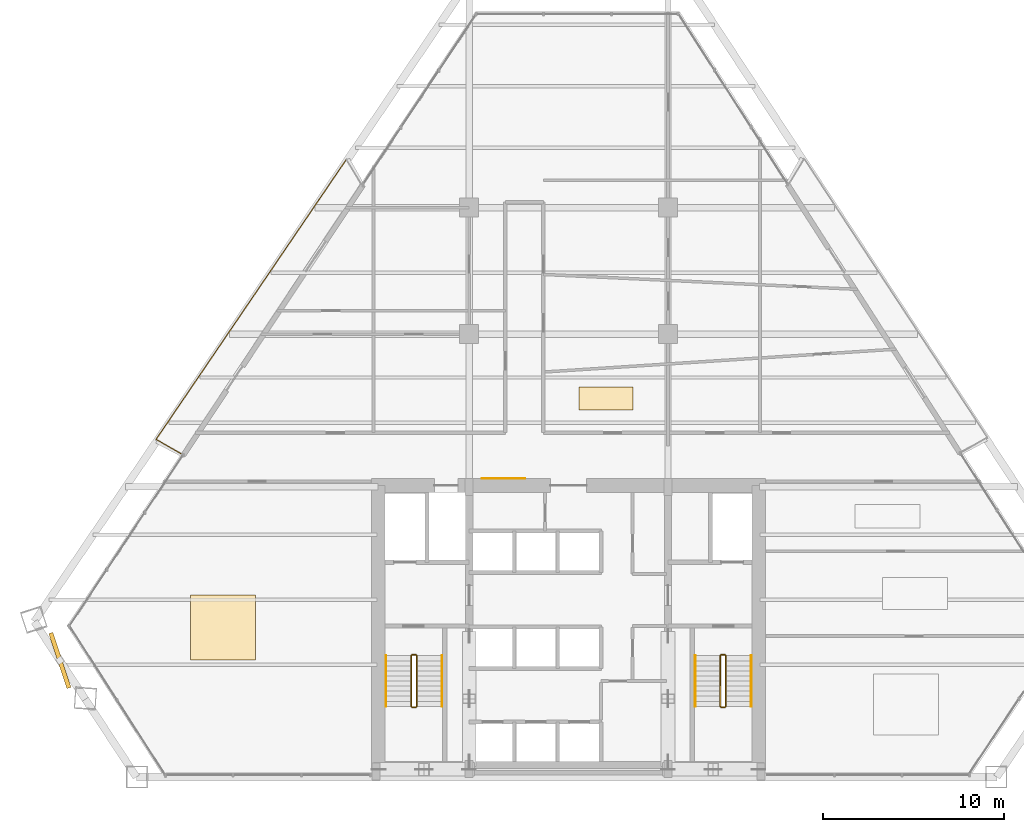
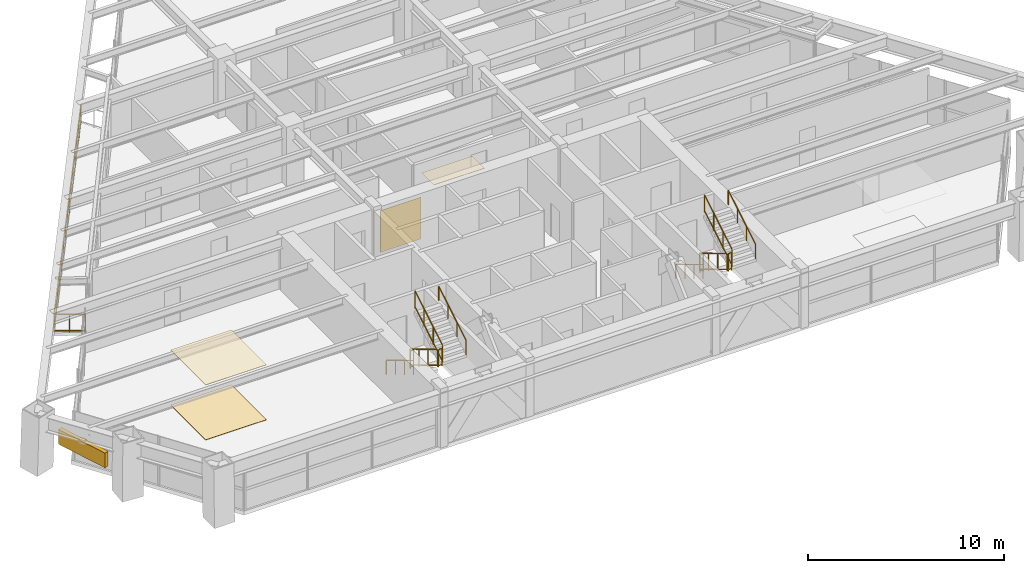
# One storey, part 13 of 14: 14 railings, 4 coverings, 1 shading device.
"""IFC4 building model written with IfcOpenShell, lengths in metres."""

from ifc_helpers import new_model, si_unit, direction, frame, origin, origin_2d, place, context, subcontext, project, spatial, rectangle, extrude, source, transform, mapped, material, layer, layer_set, type_object, type_shapes, element, save


model = new_model("IFC4")

# Units and contexts
model_context = context("Model", 3, precision=1e-05, world=origin(), true_north=direction((0.0, 1.0)))
body_context = subcontext(model_context, "Body", "Model", "MODEL_VIEW")
ifc_project = project(units=[si_unit("LENGTHUNIT", "METRE"), si_unit("AREAUNIT", "SQUARE_METRE"), si_unit("VOLUMEUNIT", "CUBIC_METRE"), si_unit("PLANEANGLEUNIT", "RADIAN"), si_unit("MASSUNIT", "GRAM", prefix="KILO")], contexts=[model_context])

# Site, building, storey
site_placement = place(None, origin())
site = spatial("IfcSite", under=ifc_project, at=site_placement, CompositionType="ELEMENT")
building_placement = place(site_placement, origin())
building = spatial("IfcBuilding", under=site, at=building_placement, Name="Varnakhor Terracotta Tower", CompositionType="ELEMENT")
storey_placement = place(building_placement, frame((0.0, 0.0, 113.60009765625)))
storey = spatial("IfcBuildingStorey", under=building, at=storey_placement, Name="L28", CompositionType="ELEMENT", Elevation=113.60009765625)

# Railings
ifc_material_1 = material(Name="Stainless Steel & Laminated Glass Guardrail", Category="steel")
railing_type_1 = type_object("IfcRailingType", Name="RLG-LOGGIA-GUARD-1150", PredefinedType="GUARDRAIL", material=ifc_material_1)
railing_1_placement = place(storey_placement, frame((-21.425048828125, 17.876708984375, 0.0)))
element("IfcRailing", 1, at=railing_1_placement, inside=storey, type_object=railing_type_1, Name="L28 W Loggia Glass Guard 1", PredefinedType="GUARDRAIL", context=body_context, shape_type="SweptSolid", body=[
    extrude(rectangle(XDim=0.048095703125, YDim=0.048095703125, at=origin_2d()), frame((0.0, 0.0, 1.1259765625), z_axis=(-0.866628436707, 0.498954058697, 0.0), x_axis=(-0.498954058697, -0.866628436707, 0.0)), (0.0, 0.0, 1.0), 1.60498046875),
    extrude(rectangle(XDim=0.048095703125, YDim=0.048095703125, at=origin_2d()), frame((0.0, 0.0, 0.10009765625), z_axis=(-0.866628436707, 0.498954058697, 0.0), x_axis=(-0.498954058697, -0.866628436707, 0.0)), (0.0, 0.0, 1.0), 1.60498046875),
    extrude(rectangle(XDim=0.0419921875, YDim=0.0419921875, at=origin_2d()), origin(), (0.0, 0.0, 1.0), 1.101806640625),
    extrude(rectangle(XDim=0.0419921875, YDim=0.0419921875, at=origin_2d()), frame((-0.6953125, 0.400390625, 0.0)), (0.0, 0.0, 1.0), 1.101806640625),
    extrude(rectangle(XDim=0.0419921875, YDim=0.0419921875, at=origin_2d()), frame((-1.390869140625, 0.80078125, 0.0)), (0.0, 0.0, 1.0), 1.101806640625),
])
railing_2_placement = place(storey_placement, frame((-22.81591796875, 18.677490234375, 0.0)))
element("IfcRailing", 2, at=railing_2_placement, inside=storey, type_object=railing_type_1, Name="L28 W Loggia Glass Guard 2", PredefinedType="GUARDRAIL", context=body_context, shape_type="SweptSolid", body=[
    extrude(rectangle(XDim=0.048095703125, YDim=0.048095703125, at=origin_2d()), frame((0.0, 0.0, 1.1259765625), z_axis=(0.562105529227, 0.827065519782, 0.0), x_axis=(-0.827065519782, 0.562105529227, 0.0)), (0.0, 0.0, 1.0), 18.713134765625),
    extrude(rectangle(XDim=0.048095703125, YDim=0.048095703125, at=origin_2d()), frame((0.0, 0.0, 0.10009765625), z_axis=(0.562105529227, 0.827065519782, 0.0), x_axis=(-0.827065519782, 0.562105529227, 0.0)), (0.0, 0.0, 1.0), 18.713134765625),
    extrude(rectangle(XDim=0.0419921875, YDim=0.0419921875, at=origin_2d()), origin(), (0.0, 0.0, 1.0), 1.101806640625),
    extrude(rectangle(XDim=0.0419921875, YDim=0.0419921875, at=origin_2d()), frame((0.75146484375, 1.10546875, 0.0)), (0.0, 0.0, 1.0), 1.101806640625),
    extrude(rectangle(XDim=0.0419921875, YDim=0.0419921875, at=origin_2d()), frame((1.502685546875, 2.2109375, 0.0)), (0.0, 0.0, 1.0), 1.101806640625),
    extrude(rectangle(XDim=0.0419921875, YDim=0.0419921875, at=origin_2d()), frame((2.25390625, 3.31640625, 0.0)), (0.0, 0.0, 1.0), 1.101806640625),
    extrude(rectangle(XDim=0.0419921875, YDim=0.0419921875, at=origin_2d()), frame((3.00537109375, 4.422119140625, 0.0)), (0.0, 0.0, 1.0), 1.101806640625),
    extrude(rectangle(XDim=0.0419921875, YDim=0.0419921875, at=origin_2d()), frame((3.7568359375, 5.527587890625, 0.0)), (0.0, 0.0, 1.0), 1.101806640625),
    extrude(rectangle(XDim=0.0419921875, YDim=0.0419921875, at=origin_2d()), frame((4.508056640625, 6.633056640625, 0.0)), (0.0, 0.0, 1.0), 1.101806640625),
    extrude(rectangle(XDim=0.0419921875, YDim=0.0419921875, at=origin_2d()), frame((5.25927734375, 7.738525390625, 0.0)), (0.0, 0.0, 1.0), 1.101806640625),
    extrude(rectangle(XDim=0.0419921875, YDim=0.0419921875, at=origin_2d()), frame((6.0107421875, 8.843994140625, 0.0)), (0.0, 0.0, 1.0), 1.101806640625),
    extrude(rectangle(XDim=0.0419921875, YDim=0.0419921875, at=origin_2d()), frame((6.76220703125, 9.949462890625, 0.0)), (0.0, 0.0, 1.0), 1.101806640625),
    extrude(rectangle(XDim=0.0419921875, YDim=0.0419921875, at=origin_2d()), frame((7.513427734375, 11.054931640625, 0.0)), (0.0, 0.0, 1.0), 1.101806640625),
    extrude(rectangle(XDim=0.0419921875, YDim=0.0419921875, at=origin_2d()), frame((8.2646484375, 12.16064453125, 0.0)), (0.0, 0.0, 1.0), 1.101806640625),
    extrude(rectangle(XDim=0.0419921875, YDim=0.0419921875, at=origin_2d()), frame((9.01611328125, 13.26611328125, 0.0)), (0.0, 0.0, 1.0), 1.101806640625),
    extrude(rectangle(XDim=0.0419921875, YDim=0.0419921875, at=origin_2d()), frame((9.767578125, 14.37158203125, 0.0)), (0.0, 0.0, 1.0), 1.101806640625),
    extrude(rectangle(XDim=0.0419921875, YDim=0.0419921875, at=origin_2d()), frame((10.518798828125, 15.47705078125, 0.0)), (0.0, 0.0, 1.0), 1.101806640625),
])
ifc_material_2 = material(Name="Painted Steel Stairwell Guardrail", Category="steel")
railing_type_2 = type_object("IfcRailingType", Name="RLG-STAIR-GUARD-1120", PredefinedType="GUARDRAIL", material=ifc_material_2)
railing_3_placement = place(storey_placement, frame((-8.699951171875, 6.7099609375, 0.16796875)))
element("IfcRailing", 3, at=railing_3_placement, inside=storey, type_object=railing_type_2, Name="L28 ST-1 stair guard 1", PredefinedType="GUARDRAIL", context=body_context, shape_type="SweptSolid", body=[
    extrude(rectangle(XDim=0.048095703125, YDim=0.048095703125, at=origin_2d()), frame((0.0, 0.0, 1.09619140625), z_axis=(0.0, -0.857242210791, 0.514913383045), x_axis=(1.0, 0.0, 0.0)), (0.0, 0.0, 1.0), 3.266357421875),
    extrude(rectangle(XDim=0.048095703125, YDim=0.048095703125, at=origin_2d()), frame((0.0, 0.0, 0.10009765625), z_axis=(0.0, -0.857242210791, 0.514913383045), x_axis=(1.0, 0.0, 0.0)), (0.0, 0.0, 1.0), 3.266357421875),
    extrude(rectangle(XDim=0.0419921875, YDim=0.0419921875, at=origin_2d()), origin(), (0.0, 0.0, 1.0), 1.072021484375),
    extrude(rectangle(XDim=0.0419921875, YDim=0.0419921875, at=origin_2d()), frame((0.0, -0.933349609375, 0.560546875)), (0.0, 0.0, 1.0), 1.072021484375),
    extrude(rectangle(XDim=0.0419921875, YDim=0.0419921875, at=origin_2d()), frame((0.0, -1.86669921875, 1.121337890625)), (0.0, 0.0, 1.0), 1.072021484375),
    extrude(rectangle(XDim=0.0419921875, YDim=0.0419921875, at=origin_2d()), frame((0.0, -2.800048828125, 1.681884765625)), (0.0, 0.0, 1.0), 1.072021484375),
])
railing_4_placement = place(storey_placement, frame((-8.64990234375, 3.860107421875, 1.849853515625)))
element("IfcRailing", 4, at=railing_4_placement, inside=storey, type_object=railing_type_2, Name="L28 ST-1 stair guard 2", PredefinedType="GUARDRAIL", context=body_context, shape_type="SweptSolid", body=[
    extrude(rectangle(XDim=0.048095703125, YDim=0.048095703125, at=origin_2d()), frame((0.0, 0.0, 1.09619140625), z_axis=(1.0, 0.0, 0.0), x_axis=(0.0, 1.0, 0.0)), (0.0, 0.0, 1.0), 0.199951171875),
    extrude(rectangle(XDim=0.048095703125, YDim=0.048095703125, at=origin_2d()), frame((0.0, 0.0, 0.10009765625), z_axis=(1.0, 0.0, 0.0), x_axis=(0.0, 1.0, 0.0)), (0.0, 0.0, 1.0), 0.199951171875),
    extrude(rectangle(XDim=0.0419921875, YDim=0.0419921875, at=origin_2d()), origin(), (0.0, 0.0, 1.0), 1.072021484375),
    extrude(rectangle(XDim=0.0419921875, YDim=0.0419921875, at=origin_2d()), frame((0.199951171875, 0.0, 0.0)), (0.0, 0.0, 1.0), 1.072021484375),
])
railing_5_placement = place(storey_placement, frame((-8.39990234375, 3.909912109375, 2.01806640625)))
element("IfcRailing", 5, at=railing_5_placement, inside=storey, type_object=railing_type_2, Name="L28 ST-1 stair guard 3", PredefinedType="GUARDRAIL", context=body_context, shape_type="SweptSolid", body=[
    extrude(rectangle(XDim=0.048095703125, YDim=0.048095703125, at=origin_2d()), frame((0.0, 0.0, 1.09619140625), z_axis=(0.0, 0.857242210791, 0.514913383045), x_axis=(-1.0, 0.0, 0.0)), (0.0, 0.0, 1.0), 3.266357421875),
    extrude(rectangle(XDim=0.048095703125, YDim=0.048095703125, at=origin_2d()), frame((0.0, 0.0, 0.10009765625), z_axis=(0.0, 0.857242210791, 0.514913383045), x_axis=(-1.0, 0.0, 0.0)), (0.0, 0.0, 1.0), 3.266357421875),
    extrude(rectangle(XDim=0.0419921875, YDim=0.0419921875, at=origin_2d()), origin(), (0.0, 0.0, 1.0), 1.072021484375),
    extrude(rectangle(XDim=0.0419921875, YDim=0.0419921875, at=origin_2d()), frame((0.0, 0.933349609375, 0.560546875)), (0.0, 0.0, 1.0), 1.072021484375),
    extrude(rectangle(XDim=0.0419921875, YDim=0.0419921875, at=origin_2d()), frame((0.0, 1.86669921875, 1.121337890625)), (0.0, 0.0, 1.0), 1.072021484375),
    extrude(rectangle(XDim=0.0419921875, YDim=0.0419921875, at=origin_2d()), frame((0.0, 2.800048828125, 1.681884765625)), (0.0, 0.0, 1.0), 1.072021484375),
])
railing_6_placement = place(storey_placement, frame((-8.64990234375, 6.760009765625, 0.0)))
element("IfcRailing", 6, at=railing_6_placement, inside=storey, type_object=railing_type_2, Name="L28 ST-1 stair guard 4", PredefinedType="GUARDRAIL", context=body_context, shape_type="SweptSolid", body=[
    extrude(rectangle(XDim=0.048095703125, YDim=0.048095703125, at=origin_2d()), frame((0.0, 0.0, 1.09619140625), z_axis=(1.0, 0.0, 0.0), x_axis=(0.0, 1.0, 0.0)), (0.0, 0.0, 1.0), 0.199951171875),
    extrude(rectangle(XDim=0.048095703125, YDim=0.048095703125, at=origin_2d()), frame((0.0, 0.0, 0.10009765625), z_axis=(1.0, 0.0, 0.0), x_axis=(0.0, 1.0, 0.0)), (0.0, 0.0, 1.0), 0.199951171875),
    extrude(rectangle(XDim=0.0419921875, YDim=0.0419921875, at=origin_2d()), origin(), (0.0, 0.0, 1.0), 1.072021484375),
    extrude(rectangle(XDim=0.0419921875, YDim=0.0419921875, at=origin_2d()), frame((0.199951171875, 0.0, 0.0)), (0.0, 0.0, 1.0), 1.072021484375),
])
railing_7_placement = place(storey_placement, frame((8.39990234375, 6.7099609375, 0.16796875)))
element("IfcRailing", 7, at=railing_7_placement, inside=storey, type_object=railing_type_2, Name="L28 ST-2 stair guard 1", PredefinedType="GUARDRAIL", context=body_context, shape_type="SweptSolid", body=[
    extrude(rectangle(XDim=0.048095703125, YDim=0.048095703125, at=origin_2d()), frame((0.0, 0.0, 1.09619140625), z_axis=(0.0, -0.857242210791, 0.514913383045), x_axis=(1.0, 0.0, 0.0)), (0.0, 0.0, 1.0), 3.266357421875),
    extrude(rectangle(XDim=0.048095703125, YDim=0.048095703125, at=origin_2d()), frame((0.0, 0.0, 0.10009765625), z_axis=(0.0, -0.857242210791, 0.514913383045), x_axis=(1.0, 0.0, 0.0)), (0.0, 0.0, 1.0), 3.266357421875),
    extrude(rectangle(XDim=0.0419921875, YDim=0.0419921875, at=origin_2d()), origin(), (0.0, 0.0, 1.0), 1.072021484375),
    extrude(rectangle(XDim=0.0419921875, YDim=0.0419921875, at=origin_2d()), frame((0.0, -0.933349609375, 0.560546875)), (0.0, 0.0, 1.0), 1.072021484375),
    extrude(rectangle(XDim=0.0419921875, YDim=0.0419921875, at=origin_2d()), frame((0.0, -1.86669921875, 1.121337890625)), (0.0, 0.0, 1.0), 1.072021484375),
    extrude(rectangle(XDim=0.0419921875, YDim=0.0419921875, at=origin_2d()), frame((0.0, -2.800048828125, 1.681884765625)), (0.0, 0.0, 1.0), 1.072021484375),
])
railing_8_placement = place(storey_placement, frame((8.449951171875, 3.860107421875, 1.849853515625)))
element("IfcRailing", 8, at=railing_8_placement, inside=storey, type_object=railing_type_2, Name="L28 ST-2 stair guard 2", PredefinedType="GUARDRAIL", context=body_context, shape_type="SweptSolid", body=[
    extrude(rectangle(XDim=0.048095703125, YDim=0.048095703125, at=origin_2d()), frame((0.0, 0.0, 1.09619140625), z_axis=(1.0, 0.0, 0.0), x_axis=(0.0, 1.0, 0.0)), (0.0, 0.0, 1.0), 0.199951171875),
    extrude(rectangle(XDim=0.048095703125, YDim=0.048095703125, at=origin_2d()), frame((0.0, 0.0, 0.10009765625), z_axis=(1.0, 0.0, 0.0), x_axis=(0.0, 1.0, 0.0)), (0.0, 0.0, 1.0), 0.199951171875),
    extrude(rectangle(XDim=0.0419921875, YDim=0.0419921875, at=origin_2d()), origin(), (0.0, 0.0, 1.0), 1.072021484375),
    extrude(rectangle(XDim=0.0419921875, YDim=0.0419921875, at=origin_2d()), frame((0.199951171875, 0.0, 0.0)), (0.0, 0.0, 1.0), 1.072021484375),
])
railing_9_placement = place(storey_placement, frame((8.699951171875, 3.909912109375, 2.01806640625)))
element("IfcRailing", 9, at=railing_9_placement, inside=storey, type_object=railing_type_2, Name="L28 ST-2 stair guard 3", PredefinedType="GUARDRAIL", context=body_context, shape_type="SweptSolid", body=[
    extrude(rectangle(XDim=0.048095703125, YDim=0.048095703125, at=origin_2d()), frame((0.0, 0.0, 1.09619140625), z_axis=(0.0, 0.857242210791, 0.514913383045), x_axis=(-1.0, 0.0, 0.0)), (0.0, 0.0, 1.0), 3.266357421875),
    extrude(rectangle(XDim=0.048095703125, YDim=0.048095703125, at=origin_2d()), frame((0.0, 0.0, 0.10009765625), z_axis=(0.0, 0.857242210791, 0.514913383045), x_axis=(-1.0, 0.0, 0.0)), (0.0, 0.0, 1.0), 3.266357421875),
    extrude(rectangle(XDim=0.0419921875, YDim=0.0419921875, at=origin_2d()), origin(), (0.0, 0.0, 1.0), 1.072021484375),
    extrude(rectangle(XDim=0.0419921875, YDim=0.0419921875, at=origin_2d()), frame((0.0, 0.933349609375, 0.560546875)), (0.0, 0.0, 1.0), 1.072021484375),
    extrude(rectangle(XDim=0.0419921875, YDim=0.0419921875, at=origin_2d()), frame((0.0, 1.86669921875, 1.121337890625)), (0.0, 0.0, 1.0), 1.072021484375),
    extrude(rectangle(XDim=0.0419921875, YDim=0.0419921875, at=origin_2d()), frame((0.0, 2.800048828125, 1.681884765625)), (0.0, 0.0, 1.0), 1.072021484375),
])
railing_10_placement = place(storey_placement, frame((8.449951171875, 6.760009765625, 0.0)))
element("IfcRailing", 10, at=railing_10_placement, inside=storey, type_object=railing_type_2, Name="L28 ST-2 stair guard 4", PredefinedType="GUARDRAIL", context=body_context, shape_type="SweptSolid", body=[
    extrude(rectangle(XDim=0.048095703125, YDim=0.048095703125, at=origin_2d()), frame((0.0, 0.0, 1.09619140625), z_axis=(1.0, 0.0, 0.0), x_axis=(0.0, 1.0, 0.0)), (0.0, 0.0, 1.0), 0.199951171875),
    extrude(rectangle(XDim=0.048095703125, YDim=0.048095703125, at=origin_2d()), frame((0.0, 0.0, 0.10009765625), z_axis=(1.0, 0.0, 0.0), x_axis=(0.0, 1.0, 0.0)), (0.0, 0.0, 1.0), 0.199951171875),
    extrude(rectangle(XDim=0.0419921875, YDim=0.0419921875, at=origin_2d()), origin(), (0.0, 0.0, 1.0), 1.072021484375),
    extrude(rectangle(XDim=0.0419921875, YDim=0.0419921875, at=origin_2d()), frame((0.199951171875, 0.0, 0.0)), (0.0, 0.0, 1.0), 1.072021484375),
])
ifc_material_3 = material(Name="Brushed Stainless Steel Handrail", Category="steel")
railing_type_3 = type_object("IfcRailingType", Name="RLG-STAIR-HANDRAIL-920", PredefinedType="HANDRAIL", material=ifc_material_3)
railing_11_placement = place(storey_placement, frame((-10.10009765625, 6.7099609375, 0.16796875)))
element("IfcRailing", 11, at=railing_11_placement, inside=storey, type_object=railing_type_3, Name="L28 ST-1 stair handrail 1", PredefinedType="HANDRAIL", context=body_context, shape_type="SweptSolid", body=[
    extrude(rectangle(XDim=0.048095703125, YDim=0.048095703125, at=origin_2d()), frame((0.0, 0.0, 0.89599609375), z_axis=(0.0, -0.857242210791, 0.514913383045), x_axis=(1.0, 0.0, 0.0)), (0.0, 0.0, 1.0), 3.266357421875),
    extrude(rectangle(XDim=0.0419921875, YDim=0.0419921875, at=origin_2d()), origin(), (0.0, 0.0, 1.0), 0.871826171875),
    extrude(rectangle(XDim=0.0419921875, YDim=0.0419921875, at=origin_2d()), frame((0.0, -0.933349609375, 0.560546875)), (0.0, 0.0, 1.0), 0.871826171875),
    extrude(rectangle(XDim=0.0419921875, YDim=0.0419921875, at=origin_2d()), frame((0.0, -1.86669921875, 1.121337890625)), (0.0, 0.0, 1.0), 0.871826171875),
    extrude(rectangle(XDim=0.0419921875, YDim=0.0419921875, at=origin_2d()), frame((0.0, -2.800048828125, 1.681884765625)), (0.0, 0.0, 1.0), 0.871826171875),
])
railing_12_placement = place(storey_placement, frame((-7.0, 3.909912109375, 2.01806640625)))
element("IfcRailing", 12, at=railing_12_placement, inside=storey, type_object=railing_type_3, Name="L28 ST-1 stair handrail 2", PredefinedType="HANDRAIL", context=body_context, shape_type="SweptSolid", body=[
    extrude(rectangle(XDim=0.048095703125, YDim=0.048095703125, at=origin_2d()), frame((0.0, 0.0, 0.89599609375), z_axis=(0.0, 0.857242210791, 0.514913383045), x_axis=(-1.0, 0.0, 0.0)), (0.0, 0.0, 1.0), 3.266357421875),
    extrude(rectangle(XDim=0.0419921875, YDim=0.0419921875, at=origin_2d()), origin(), (0.0, 0.0, 1.0), 0.871826171875),
    extrude(rectangle(XDim=0.0419921875, YDim=0.0419921875, at=origin_2d()), frame((0.0, 0.933349609375, 0.560546875)), (0.0, 0.0, 1.0), 0.871826171875),
    extrude(rectangle(XDim=0.0419921875, YDim=0.0419921875, at=origin_2d()), frame((0.0, 1.86669921875, 1.121337890625)), (0.0, 0.0, 1.0), 0.871826171875),
    extrude(rectangle(XDim=0.0419921875, YDim=0.0419921875, at=origin_2d()), frame((0.0, 2.800048828125, 1.681884765625)), (0.0, 0.0, 1.0), 0.871826171875),
])
railing_13_placement = place(storey_placement, frame((7.0, 6.7099609375, 0.16796875)))
element("IfcRailing", 13, at=railing_13_placement, inside=storey, type_object=railing_type_3, Name="L28 ST-2 stair handrail 1", PredefinedType="HANDRAIL", context=body_context, shape_type="SweptSolid", body=[
    extrude(rectangle(XDim=0.048095703125, YDim=0.048095703125, at=origin_2d()), frame((0.0, 0.0, 0.89599609375), z_axis=(0.0, -0.857242210791, 0.514913383045), x_axis=(1.0, 0.0, 0.0)), (0.0, 0.0, 1.0), 3.266357421875),
    extrude(rectangle(XDim=0.0419921875, YDim=0.0419921875, at=origin_2d()), origin(), (0.0, 0.0, 1.0), 0.871826171875),
    extrude(rectangle(XDim=0.0419921875, YDim=0.0419921875, at=origin_2d()), frame((0.0, -0.933349609375, 0.560546875)), (0.0, 0.0, 1.0), 0.871826171875),
    extrude(rectangle(XDim=0.0419921875, YDim=0.0419921875, at=origin_2d()), frame((0.0, -1.86669921875, 1.121337890625)), (0.0, 0.0, 1.0), 0.871826171875),
    extrude(rectangle(XDim=0.0419921875, YDim=0.0419921875, at=origin_2d()), frame((0.0, -2.800048828125, 1.681884765625)), (0.0, 0.0, 1.0), 0.871826171875),
])
railing_14_placement = place(storey_placement, frame((10.10009765625, 3.909912109375, 2.01806640625)))
element("IfcRailing", 14, at=railing_14_placement, inside=storey, type_object=railing_type_3, Name="L28 ST-2 stair handrail 2", PredefinedType="HANDRAIL", context=body_context, shape_type="SweptSolid", body=[
    extrude(rectangle(XDim=0.048095703125, YDim=0.048095703125, at=origin_2d()), frame((0.0, 0.0, 0.89599609375), z_axis=(0.0, 0.857242210791, 0.514913383045), x_axis=(-1.0, 0.0, 0.0)), (0.0, 0.0, 1.0), 3.266357421875),
    extrude(rectangle(XDim=0.0419921875, YDim=0.0419921875, at=origin_2d()), origin(), (0.0, 0.0, 1.0), 0.871826171875),
    extrude(rectangle(XDim=0.0419921875, YDim=0.0419921875, at=origin_2d()), frame((0.0, 0.933349609375, 0.560546875)), (0.0, 0.0, 1.0), 0.871826171875),
    extrude(rectangle(XDim=0.0419921875, YDim=0.0419921875, at=origin_2d()), frame((0.0, 1.86669921875, 1.121337890625)), (0.0, 0.0, 1.0), 0.871826171875),
    extrude(rectangle(XDim=0.0419921875, YDim=0.0419921875, at=origin_2d()), frame((0.0, 2.800048828125, 1.681884765625)), (0.0, 0.0, 1.0), 0.871826171875),
])

# Shading device
ifc_material_4 = material(Name="Extruded Architectural Terracotta Screen", Category="masonry")
shading_device_type = type_object("IfcShadingDeviceType", Name="TERRACOTTA SOLAR SCREEN W", PredefinedType="USERDEFINED", material=ifc_material_4)
shared_shape_1 = source(origin(), body_context, "Body", "SweptSolid", [
    extrude(rectangle(XDim=3.199951171875, YDim=0.239990234375, at=origin_2d()), origin(), (0.0, 0.0, 1.0), 0.919921875),
])
type_shapes(shading_device_type, [shared_shape_1])
shading_device_placement = place(storey_placement, frame((-28.14013671875, 6.447265625, 1.617919921875), z_axis=(0.0, 0.0, 1.0), x_axis=(0.313694169667, -0.949524074427, 0.0)))
element("IfcShadingDevice", 15, at=shading_device_placement, inside=storey, type_object=shading_device_type, Name="L28 W Terracotta Solar Screen", ObjectType="SCREEN", PredefinedType="USERDEFINED", context=body_context, shape_type="MappedRepresentation", body=[
    mapped(shared_shape_1, transform((0.0, 0.0, 0.0), scale=1.0)),
])

# Coverings
ifc_material_5 = material(Name="Extruded Architectural Terracotta Cladding", Category="masonry")
ifc_layer_1 = layer(ifc_material_5, 0.044921875, Name="Extruded Architectural Terracotta Cladding")
ifc_layer_set_1 = layer_set([ifc_layer_1], Name="Extruded Architectural Terracotta Cladding")
covering_type_1 = type_object("IfcCoveringType", Name="COV-CLAD-TERRACOTTA", PredefinedType="CLADDING", material=ifc_layer_set_1)
shared_shape_2 = source(origin(), body_context, "Body", "SweptSolid", [
    extrude(rectangle(XDim=2.39990234375, YDim=0.030029296875, at=origin_2d()), origin(), (0.0, 0.0, 1.0), 2.60009765625),
])
type_shapes(covering_type_1, [shared_shape_2])
covering_1_placement = place(storey_placement, frame((-3.60009765625, 16.511962890625, -0.000244140625), z_axis=(0.0, 0.0, 1.0), x_axis=(1.0, 0.0, 0.0)))
element("IfcCovering", 16, at=covering_1_placement, inside=storey, type_object=covering_type_1, Name="L28 Core Lobby Limestone Cladding", PredefinedType="CLADDING", context=body_context, shape_type="MappedRepresentation", body=[
    mapped(shared_shape_2, transform((0.0, 0.0, 0.0), scale=1.0)),
])
ifc_material_6 = material(Name="Honed Riyadh Limestone Flooring", Category="masonry")
ifc_layer_2 = layer(ifc_material_6, 0.030029296875, Name="Honed Riyadh Limestone Flooring")
ifc_layer_set_2 = layer_set([ifc_layer_2], Name="Honed Riyadh Limestone Flooring")
covering_type_2 = type_object("IfcCoveringType", Name="COV-FLOOR-LIMESTONE", PredefinedType="FLOORING", material=ifc_layer_set_2)
shared_shape_3 = source(origin(), body_context, "Body", "SweptSolid", [
    extrude(rectangle(XDim=3.60009765625, YDim=3.60009765625, at=origin_2d()), origin(), (0.0, 0.0, 1.0), 0.02001953125),
])
covering_2_placement = place(storey_placement, frame((-19.10498046875, 8.26611328125, 0.0), z_axis=(0.0, 0.0, 1.0), x_axis=(1.0, 0.0, 0.0)))
element("IfcCovering", 17, at=covering_2_placement, inside=storey, type_object=covering_type_2, Name="L28 Honed Stone Flooring 2", PredefinedType="FLOORING", context=body_context, shape_type="MappedRepresentation", body=[
    mapped(shared_shape_3, transform((0.0, 0.0, 0.0), scale=1.0)),
])
ifc_material_7 = material(Name="Perforated Acoustic Mineral-Fibre Ceiling", Category="gypsum")
ifc_layer_3 = layer(ifc_material_7, 0.02490234375, Name="Perforated Acoustic Mineral-Fibre Ceiling")
ifc_layer_set_3 = layer_set([ifc_layer_3], Name="Perforated Acoustic Mineral-Fibre Ceiling")
covering_type_3 = type_object("IfcCoveringType", Name="COV-CEILING-ACOUSTIC", PredefinedType="CEILING", material=ifc_layer_set_3)
shared_shape_4 = source(origin(), body_context, "Body", "SweptSolid", [
    extrude(rectangle(XDim=3.60009765625, YDim=3.60009765625, at=origin_2d()), origin(), (0.0, 0.0, 1.0), 0.02392578125),
])
covering_3_placement = place(storey_placement, frame((-19.10498046875, 8.26611328125, 3.426025390625), z_axis=(0.0, 0.0, 1.0), x_axis=(1.0, 0.0, 0.0)))
element("IfcCovering", 18, at=covering_3_placement, inside=storey, type_object=covering_type_3, Name="L28 Acoustic Ceiling Panel 2", PredefinedType="CEILING", context=body_context, shape_type="MappedRepresentation", body=[
    mapped(shared_shape_4, transform((0.0, 0.0, 0.0), scale=1.0)),
])
shared_shape_5 = source(origin(), body_context, "Body", "SweptSolid", [
    extrude(rectangle(XDim=2.98388671875, YDim=1.2509765625, at=origin_2d()), origin(), (0.0, 0.0, 1.0), 0.02001953125),
])
covering_4_placement = place(storey_placement, frame((2.06103515625, 20.93603515625, 0.0), z_axis=(0.0, 0.0, 1.0), x_axis=(1.0, 0.0, 0.0)))
element("IfcCovering", 19, at=covering_4_placement, inside=storey, type_object=covering_type_2, Name="L28 Honed Stone Flooring 5", PredefinedType="FLOORING", context=body_context, shape_type="MappedRepresentation", body=[
    mapped(shared_shape_5, transform((0.0, 0.0, 0.0), scale=1.0)),
])

save(model, "model.ifc")
